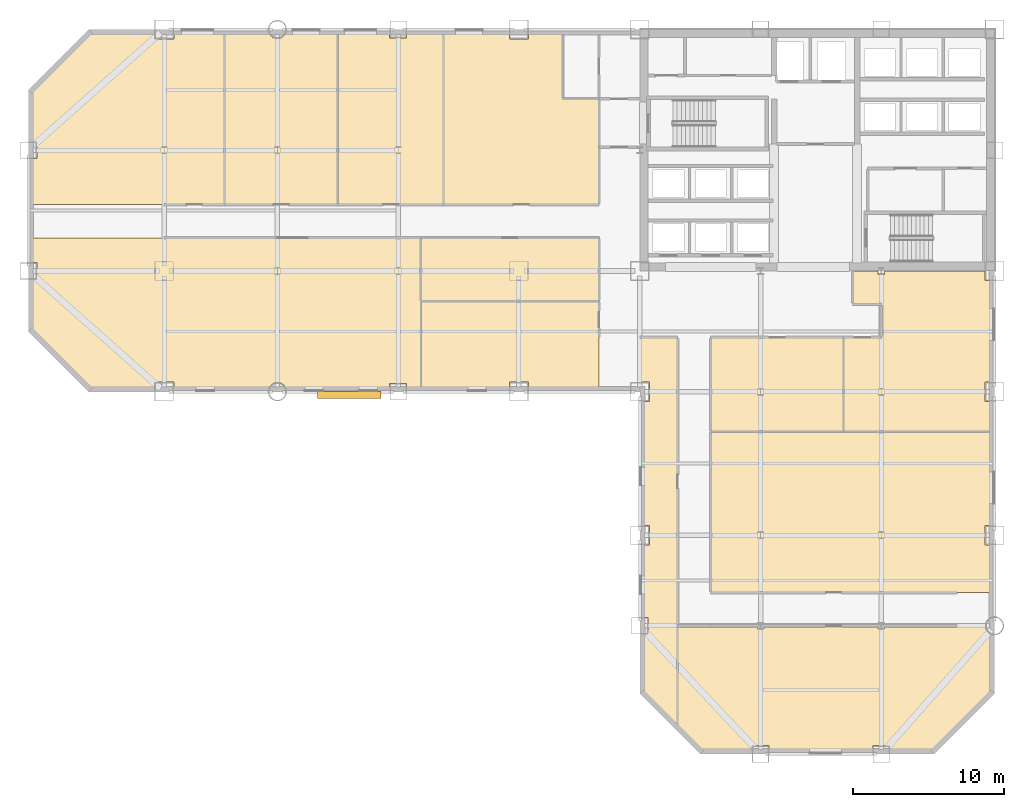
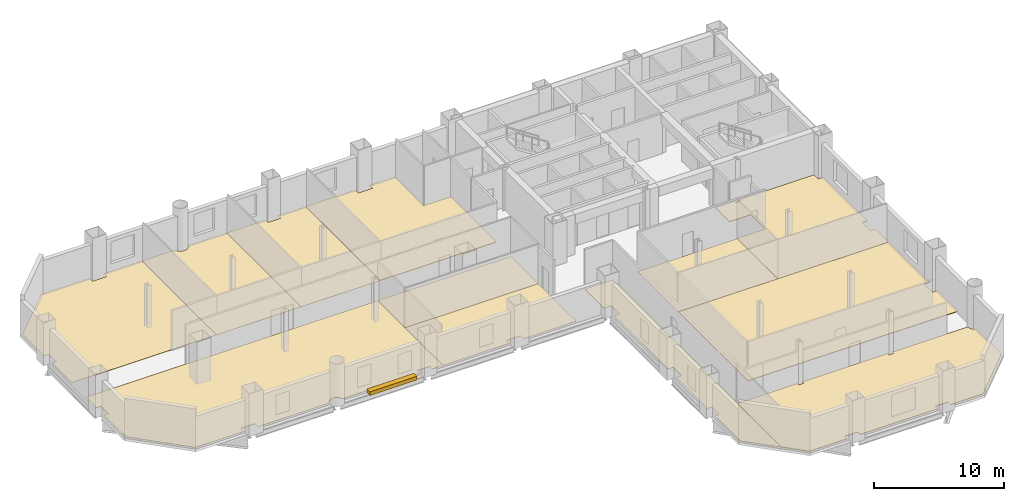
# One storey, part 8 of 9: 12 coverings, 1 shading device.
"""IFC4 building model written with IfcOpenShell, lengths in metres."""

from ifc_helpers import new_model, si_unit, direction, frame, origin, origin_2d, place, context, subcontext, project, spatial, polyline, rectangle, outline, extrude, material, layer, layer_set, type_object, element, save


model = new_model("IFC4")

# Units and contexts
model_context = context("Model", 3, precision=1e-05, world=origin(), true_north=direction((0.0, 1.0)))
body_context = subcontext(model_context, "Body", "Model", "MODEL_VIEW")
ifc_project = project(units=[si_unit("LENGTHUNIT", "METRE"), si_unit("AREAUNIT", "SQUARE_METRE"), si_unit("VOLUMEUNIT", "CUBIC_METRE"), si_unit("PLANEANGLEUNIT", "RADIAN"), si_unit("MASSUNIT", "GRAM", prefix="KILO")], contexts=[model_context])

# Site, building, storey
site_placement = place(None, origin())
site = spatial("IfcSite", under=ifc_project, at=site_placement, CompositionType="ELEMENT")
building_placement = place(site_placement, origin())
building = spatial("IfcBuilding", under=site, at=building_placement, Name="Qianrong Seaharbour Tower", CompositionType="ELEMENT")
storey_placement = place(building_placement, frame((0.0, 0.0, 80.199951171875)))
storey = spatial("IfcBuildingStorey", under=building, at=storey_placement, Name="L19", CompositionType="ELEMENT", Elevation=80.199951171875)

# Coverings
ifc_material_1 = material(Name="Acoustic modular carpet tile flooring")
ifc_layer_1 = layer(ifc_material_1, 0.02001953125)
ifc_layer_set_1 = layer_set([ifc_layer_1], Name="Acoustic modular carpet tile flooring")
covering_type_1 = type_object("IfcCoveringType", Name="COV-FLOOR-CARPET-20", PredefinedType="FLOORING", material=ifc_layer_set_1)
covering_1_placement = place(storey_placement, origin())
element("IfcCovering", 1, at=covering_1_placement, inside=storey, type_object=covering_type_1, Name="L19 Wellness Room 1 Finish Flooring", PredefinedType="FLOORING", context=body_context, shape_type="SweptSolid", body=[
    extrude(outline(polyline([(54.0, 31.60009765625), (54.0, 25.35009765625), (45.199951171875, 25.35009765625), (45.199951171875, 31.60009765625), (54.0, 31.60009765625)])), origin(), (0.0, 0.0, 1.0), 0.02001953125),
])
covering_2_placement = place(storey_placement, origin())
element("IfcCovering", 2, at=covering_2_placement, inside=storey, type_object=covering_type_1, Name="L19 Occupational Health Clinic 1 Finish Flooring", PredefinedType="FLOORING", context=body_context, shape_type="SweptSolid", body=[
    extrude(outline(polyline([(0.175048828125, 43.43994140625), (0.56005859375, 43.43994140625), (0.56005859375, 44.56005859375), (0.175048828125, 44.56005859375), (0.175048828125, 47.927490234375), (4.072509765625, 51.824951171875), (8.364990234375, 51.824951171875), (8.364990234375, 51.364990234375), (9.635009765625, 51.364990234375), (9.635009765625, 51.824951171875), (13.0, 51.824951171875), (13.0, 40.39990234375), (0.175048828125, 40.39990234375), (0.175048828125, 43.43994140625)])), origin(), (0.0, 0.0, 1.0), 0.02001953125),
])
covering_3_placement = place(storey_placement, origin())
element("IfcCovering", 3, at=covering_3_placement, inside=storey, type_object=covering_type_1, Name="L19 Physiotherapy Room 2 Finish Flooring", PredefinedType="FLOORING", context=body_context, shape_type="SweptSolid", body=[
    extrude(outline(polyline([(13.0, 51.824951171875), (15.918701171875, 51.824951171875), (15.936279296875, 51.7666015625), (15.992919921875, 51.6611328125), (16.068603515625, 51.568603515625), (16.1611328125, 51.492919921875), (16.2666015625, 51.436279296875), (16.381103515625, 51.401611328125), (16.5, 51.389892578125), (16.618896484375, 51.401611328125), (16.7333984375, 51.436279296875), (16.8388671875, 51.492919921875), (16.931396484375, 51.568603515625), (17.007080078125, 51.6611328125), (17.063720703125, 51.7666015625), (17.081298828125, 51.824951171875), (20.5, 51.824951171875), (20.5, 40.39990234375), (13.0, 40.39990234375), (13.0, 51.824951171875)])), origin(), (0.0, 0.0, 1.0), 0.02001953125),
])
covering_4_placement = place(storey_placement, origin())
element("IfcCovering", 4, at=covering_4_placement, inside=storey, type_object=covering_type_1, Name="L19 First Aid Nursing Room 3 Finish Flooring", PredefinedType="FLOORING", context=body_context, shape_type="SweptSolid", body=[
    extrude(outline(polyline([(20.5, 51.824951171875), (23.93994140625, 51.824951171875), (23.93994140625, 51.43994140625), (25.06005859375, 51.43994140625), (25.06005859375, 51.824951171875), (27.5, 51.824951171875), (27.5, 40.39990234375), (20.5, 40.39990234375), (20.5, 51.824951171875)])), origin(), (0.0, 0.0, 1.0), 0.02001953125),
])
covering_5_placement = place(storey_placement, origin())
element("IfcCovering", 5, at=covering_5_placement, inside=storey, type_object=covering_type_1, Name="L19 Wellness Exercise Hall Finish Flooring", PredefinedType="FLOORING", context=body_context, shape_type="SweptSolid", body=[
    extrude(outline(polyline([(25.06005859375, 28.175048828125), (25.06005859375, 28.56005859375), (23.93994140625, 28.56005859375), (23.93994140625, 28.175048828125), (17.081298828125, 28.175048828125), (17.063720703125, 28.2333984375), (17.007080078125, 28.3388671875), (16.931396484375, 28.431396484375), (16.8388671875, 28.507080078125), (16.7333984375, 28.563720703125), (16.618896484375, 28.598388671875), (16.5, 28.610107421875), (16.381103515625, 28.598388671875), (16.2666015625, 28.563720703125), (16.1611328125, 28.507080078125), (16.068603515625, 28.431396484375), (15.992919921875, 28.3388671875), (15.936279296875, 28.2333984375), (15.918701171875, 28.175048828125), (9.635009765625, 28.175048828125), (9.635009765625, 28.635009765625), (8.364990234375, 28.635009765625), (8.364990234375, 28.175048828125), (4.072509765625, 28.175048828125), (0.175048828125, 32.072509765625), (0.175048828125, 35.43994140625), (0.56005859375, 35.43994140625), (0.56005859375, 36.56005859375), (0.175048828125, 36.56005859375), (0.175048828125, 38.199951171875), (26.0, 38.199951171875), (26.0, 28.175048828125), (25.06005859375, 28.175048828125)])), origin(), (0.0, 0.0, 1.0), 0.02001953125),
])
covering_6_placement = place(storey_placement, origin())
element("IfcCovering", 6, at=covering_6_placement, inside=storey, type_object=covering_type_1, Name="L19 Medical Examination Room 1 Finish Flooring", PredefinedType="FLOORING", context=body_context, shape_type="SweptSolid", body=[
    extrude(outline(polyline([(37.800048828125, 28.175048828125), (33.135009765625, 28.175048828125), (33.135009765625, 28.635009765625), (31.864990234375, 28.635009765625), (31.864990234375, 28.175048828125), (26.0, 28.175048828125), (26.0, 34.0), (37.800048828125, 34.0), (37.800048828125, 28.175048828125)])), origin(), (0.0, 0.0, 1.0), 0.02001953125),
])
covering_7_placement = place(storey_placement, origin())
element("IfcCovering", 7, at=covering_7_placement, inside=storey, type_object=covering_type_1, Name="L19 Wet Pantry 2 Finish Flooring", PredefinedType="FLOORING", context=body_context, shape_type="SweptSolid", body=[
    extrude(outline(polyline([(37.800048828125, 38.199951171875), (37.800048828125, 34.0), (26.0, 34.0), (26.0, 38.199951171875), (37.800048828125, 38.199951171875)])), origin(), (0.0, 0.0, 1.0), 0.02001953125),
])
covering_8_placement = place(storey_placement, origin())
element("IfcCovering", 8, at=covering_8_placement, inside=storey, type_object=covering_type_1, Name="L19 Clinical Dispensary Store Finish Flooring", PredefinedType="FLOORING", context=body_context, shape_type="SweptSolid", body=[
    extrude(outline(polyline([(43.0, 5.74755859375), (40.675048828125, 8.072509765625), (40.675048828125, 11.93994140625), (41.06005859375, 11.93994140625), (41.06005859375, 13.06005859375), (40.675048828125, 13.06005859375), (40.675048828125, 17.864990234375), (41.135009765625, 17.864990234375), (41.135009765625, 19.135009765625), (40.675048828125, 19.135009765625), (40.675048828125, 27.364990234375), (41.135009765625, 27.364990234375), (41.135009765625, 28.635009765625), (40.5, 28.635009765625), (40.5, 31.60009765625), (43.0, 31.60009765625), (43.0, 5.74755859375)])), origin(), (0.0, 0.0, 1.0), 0.02001953125),
])
ifc_material_2 = material(Name="Calcium-sulphate raised access floor tile")
ifc_layer_2 = layer(ifc_material_2, 0.044921875)
ifc_layer_set_2 = layer_set([ifc_layer_2], Name="Calcium-sulphate raised access floor tile")
covering_type_2 = type_object("IfcCoveringType", Name="COV-FLOOR-RAISED-45", PredefinedType="FLOORING", material=ifc_layer_set_2)
covering_9_placement = place(storey_placement, origin())
element("IfcCovering", 9, at=covering_9_placement, inside=storey, type_object=covering_type_2, Name="L19 South Tip Open-Plan Office Finish Flooring", PredefinedType="FLOORING", context=body_context, shape_type="SweptSolid", body=[
    extrude(outline(polyline([(63.824951171875, 8.072509765625), (59.927490234375, 4.175048828125), (57.06005859375, 4.175048828125), (57.06005859375, 4.56005859375), (55.93994140625, 4.56005859375), (55.93994140625, 4.175048828125), (49.06005859375, 4.175048828125), (49.06005859375, 4.56005859375), (47.93994140625, 4.56005859375), (47.93994140625, 4.175048828125), (44.572509765625, 4.175048828125), (43.0, 5.74755859375), (43.0, 12.5), (48.28662109375, 12.5), (48.28662109375, 12.27587890625), (48.71337890625, 12.27587890625), (48.71337890625, 12.5), (56.28662109375, 12.5), (56.28662109375, 12.27587890625), (56.71337890625, 12.27587890625), (56.71337890625, 12.5), (63.389892578125, 12.5), (63.401611328125, 12.381103515625), (63.436279296875, 12.2666015625), (63.492919921875, 12.1611328125), (63.568603515625, 12.068603515625), (63.6611328125, 11.992919921875), (63.7666015625, 11.936279296875), (63.824951171875, 11.918701171875), (63.824951171875, 8.072509765625)])), origin(), (0.0, 0.0, 1.0), 0.045166015625),
])
covering_10_placement = place(storey_placement, origin())
element("IfcCovering", 10, at=covering_10_placement, inside=storey, type_object=covering_type_2, Name="L19 Operations Open-Plan Office Finish Flooring", PredefinedType="FLOORING", context=body_context, shape_type="SweptSolid", body=[
    extrude(outline(polyline([(63.824951171875, 25.35009765625), (63.824951171875, 19.135009765625), (63.364990234375, 19.135009765625), (63.364990234375, 17.864990234375), (63.824951171875, 17.864990234375), (63.824951171875, 14.699951171875), (45.199951171875, 14.699951171875), (45.199951171875, 25.35009765625), (63.824951171875, 25.35009765625)])), origin(), (0.0, 0.0, 1.0), 0.045166015625),
])
covering_11_placement = place(storey_placement, origin())
element("IfcCovering", 11, at=covering_11_placement, inside=storey, type_object=covering_type_2, Name="L19 Health Director Office 2 Finish Flooring", PredefinedType="FLOORING", context=body_context, shape_type="SweptSolid", body=[
    extrude(outline(polyline([(56.5, 31.60009765625), (56.5, 33.800048828125), (54.60009765625, 33.800048828125), (54.60009765625, 36.0), (56.28662109375, 36.0), (56.28662109375, 35.77587890625), (56.71337890625, 35.77587890625), (56.71337890625, 36.0), (63.364990234375, 36.0), (63.364990234375, 35.364990234375), (63.824951171875, 35.364990234375), (63.824951171875, 28.635009765625), (63.364990234375, 28.635009765625), (63.364990234375, 27.364990234375), (63.824951171875, 27.364990234375), (63.824951171875, 25.35009765625), (54.0, 25.35009765625), (54.0, 31.60009765625), (56.5, 31.60009765625)])), origin(), (0.0, 0.0, 1.0), 0.045166015625),
])
covering_12_placement = place(storey_placement, origin())
element("IfcCovering", 12, at=covering_12_placement, inside=storey, type_object=covering_type_2, Name="L19 Case Coordinator Office 4 Finish Flooring", PredefinedType="FLOORING", context=body_context, shape_type="SweptSolid", body=[
    extrude(outline(polyline([(27.5, 51.824951171875), (31.864990234375, 51.824951171875), (31.864990234375, 51.364990234375), (33.135009765625, 51.364990234375), (33.135009765625, 51.824951171875), (35.39990234375, 51.824951171875), (35.39990234375, 47.39990234375), (37.800048828125, 47.39990234375), (37.800048828125, 40.39990234375), (27.5, 40.39990234375), (27.5, 51.824951171875)])), origin(), (0.0, 0.0, 1.0), 0.045166015625),
])

# Shading device
ifc_material_3 = material(Name="White architectural precast concrete C45/55", Category="concrete")
shading_device_type = type_object("IfcShadingDeviceType", Name="SHD-SUNSHADE-WHITE-320", PredefinedType="AWNING", material=ifc_material_3)
shading_device_placement = place(storey_placement, frame((21.25, 27.780029296875, -0.02001953125), z_axis=(0.0, 0.0, 1.0), x_axis=(1.0, 0.0, 0.0)))
element("IfcShadingDevice", 13, at=shading_device_placement, inside=storey, type_object=shading_device_type, Name="L19 Climbing White Precast Ribbon Canopy Fin", PredefinedType="AWNING", context=body_context, shape_type="SweptSolid", body=[
    extrude(rectangle(XDim=4.199951171875, YDim=0.4599609375, at=origin_2d()), origin(), (0.0, 0.0, 1.0), 0.340087890625),
])

save(model, "model.ifc")
